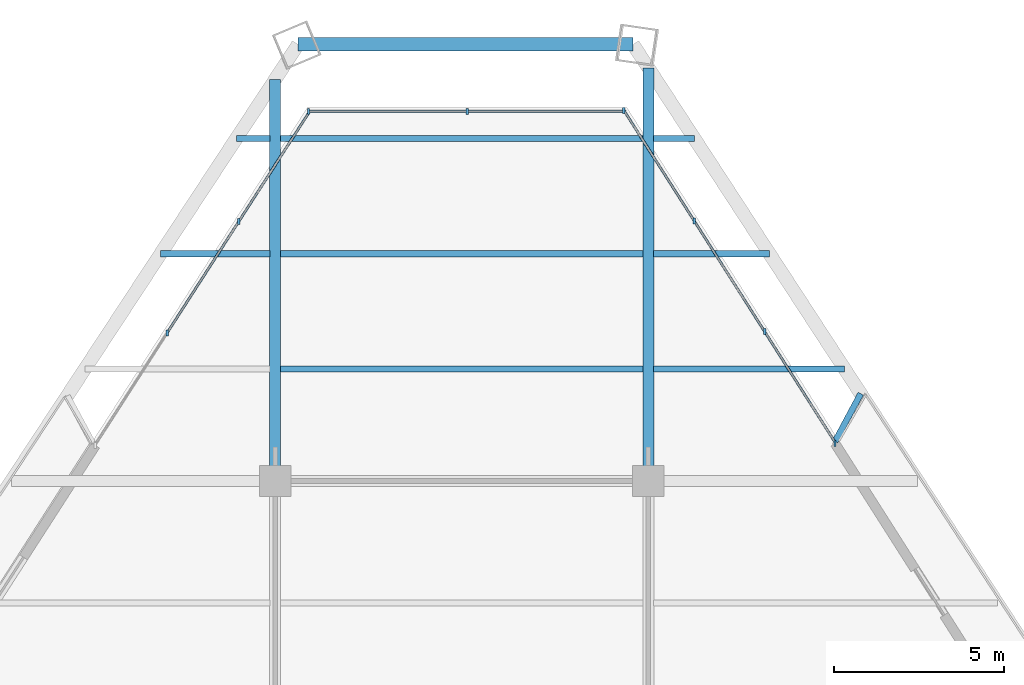
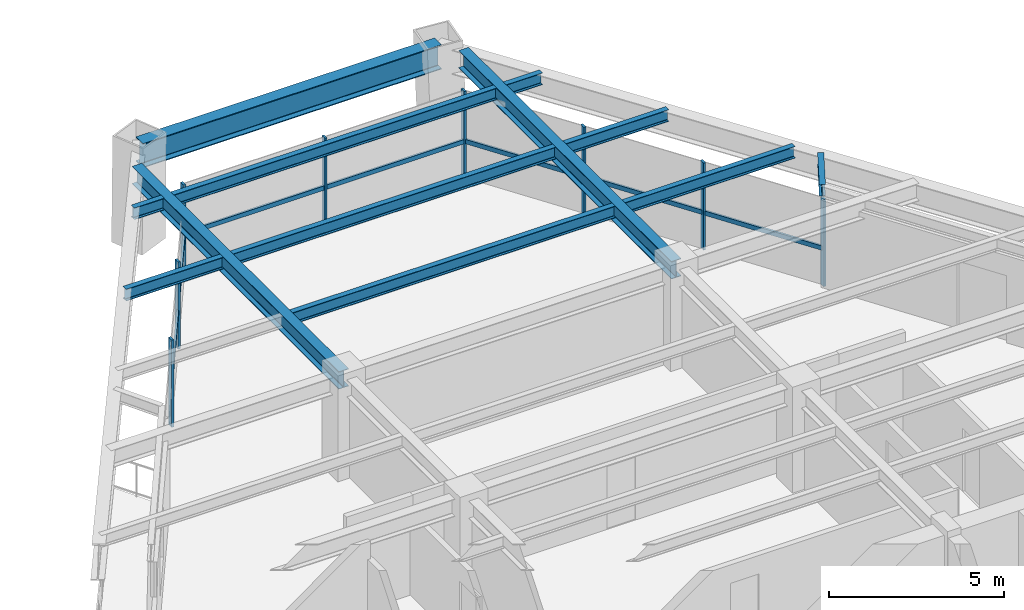
# One storey, part 9 of 16: 15 members, 12 beams, 3 elements without a shape of their own.
"""IFC4 building model written with IfcOpenShell, lengths in metres."""

from ifc_helpers import new_model, si_unit, direction, frame, origin, origin_2d, place, context, subcontext, project, spatial, rectangle, i_section, extrude, source, transform, mapped, material, material_profile, profile_set, type_object, element, aggregate, save


model = new_model("IFC4")

# Units and contexts
model_context = context("Model", 3, precision=1e-05, world=origin(), true_north=direction((0.0, 1.0)))
body_context = subcontext(model_context, "Body", "Model", "MODEL_VIEW")
ifc_project = project(units=[si_unit("LENGTHUNIT", "METRE"), si_unit("AREAUNIT", "SQUARE_METRE"), si_unit("VOLUMEUNIT", "CUBIC_METRE"), si_unit("PLANEANGLEUNIT", "RADIAN"), si_unit("MASSUNIT", "GRAM", prefix="KILO")], contexts=[model_context])

# Site, building, storey
site_placement = place(None, origin())
site = spatial("IfcSite", under=ifc_project, at=site_placement, CompositionType="ELEMENT")
building_placement = place(site_placement, origin())
building = spatial("IfcBuilding", under=site, at=building_placement, Name="Varnakhor Terracotta Tower", CompositionType="ELEMENT")
storey_placement = place(building_placement, frame((0.0, 0.0, 151.5)))
storey = spatial("IfcBuildingStorey", under=building, at=storey_placement, Name="L38", CompositionType="ELEMENT", Elevation=151.5)

# Beams
ifc_material_1 = material(Name="Steel S355", Category="steel")
ifc_material_profile_1 = material_profile(ifc_material_1, i_section(OverallWidth=0.179931640625, OverallDepth=0.4130859375, WebThickness=0.009765625, FlangeThickness=0.01611328125, FilletRadius=0.01806640625, at=origin_2d()), Name="W16X50")
ifc_profile_set_1 = profile_set([ifc_material_profile_1], Name="Steel S355")
beam_type_1 = type_object("IfcBeamType", Name="JST-W16X50", PredefinedType="JOIST", material=ifc_profile_set_1)
shared_shape_1 = source(origin(), body_context, "Body", "SweptSolid", [
    extrude(i_section(OverallWidth=0.179931640625, OverallDepth=0.4130859375, WebThickness=0.009765625, FlangeThickness=0.01611328125, FilletRadius=0.01806640625, at=origin_2d()), origin(), (0.0, 0.0, 1.0), 10.68310546875),
])
for number, where, z_axis, x_axis, name in (
    (1, (-5.341552734375, 34.800048828125, 3.263427734375), (1.0, 0.0, 0.0), (0.0, 1.0, 0.0), "L38 Composite Floor Joist 7-2"),
    (2, (-5.341552734375, 38.199951171875, 3.263427734375), (1.0, 0.0, 0.0), (0.0, 1.0, 0.0), "L38 Composite Floor Joist 8-2"),
    (3, (-5.341552734375, 41.60009765625, 3.263427734375), (1.0, 0.0, 0.0), (0.0, 1.0, 0.0), "L38 Composite Floor Joist 9-2"),
):
    element("IfcBeam", number, at=place(storey_placement, frame(where, z_axis=z_axis, x_axis=x_axis)), inside=storey, type_object=beam_type_1, Name=name, PredefinedType="JOIST", context=body_context, shape_type="MappedRepresentation", body=[
        mapped(shared_shape_1, transform((0.0, 0.0, 0.0), scale=1.0)),
    ])
ifc_material_profile_2 = material_profile(ifc_material_1, i_section(OverallWidth=0.39990234375, OverallDepth=0.85498046875, WebThickness=0.01806640625, FlangeThickness=0.029052734375, FilletRadius=0.01806640625, at=origin_2d()), Name="W33X201")
ifc_profile_set_2 = profile_set([ifc_material_profile_2], Name="Steel S355")
beam_type_2 = type_object("IfcBeamType", Name="BM-W33X201", PredefinedType="BEAM", material=ifc_profile_set_2)
shared_shape_2 = source(origin(), body_context, "Body", "SweptSolid", [
    extrude(i_section(OverallWidth=0.39990234375, OverallDepth=0.85498046875, WebThickness=0.01806640625, FlangeThickness=0.029052734375, FilletRadius=0.01806640625, at=origin_2d()), origin(), (0.0, 0.0, 1.0), 9.8759765625),
])
beam_1_placement = place(storey_placement, frame((5.05029296875, 44.37158203125, 3.04248046875), z_axis=(-1.0, 0.0, 0.0), x_axis=(0.0, -1.0, 0.0)))
element("IfcBeam", 4, at=beam_1_placement, inside=storey, type_object=beam_type_2, Name="L38 Perimeter Spandrel 5", PredefinedType="BEAM", context=body_context, shape_type="MappedRepresentation", body=[
    mapped(shared_shape_2, transform((0.0, 0.0, 0.0), scale=1.0)),
])
ifc_material_profile_3 = material_profile(ifc_material_1, i_section(OverallWidth=0.324951171875, OverallDepth=0.615966796875, WebThickness=0.013916015625, FlangeThickness=0.02197265625, FilletRadius=0.01806640625, at=origin_2d()), Name="W24X117")
ifc_profile_set_3 = profile_set([ifc_material_profile_3], Name="Steel S355")
beam_type_3 = type_object("IfcBeamType", Name="BM-W24X117", PredefinedType="BEAM", material=ifc_profile_set_3)
shared_shape_3 = source(origin(), body_context, "Body", "SweptSolid", [
    extrude(i_section(OverallWidth=0.324951171875, OverallDepth=0.615966796875, WebThickness=0.013916015625, FlangeThickness=0.02197265625, FilletRadius=0.01806640625, at=origin_2d()), origin(), (0.0, 0.0, 1.0), 11.844970703125),
])
beam_2_placement = place(storey_placement, frame((-5.5, 31.5, 3.162109375), z_axis=(0.0, 1.0, 0.0), x_axis=(-1.0, 0.0, 0.0)))
element("IfcBeam", 5, at=beam_2_placement, inside=storey, type_object=beam_type_3, Name="L38 Primary Girder NS3-W", PredefinedType="BEAM", context=body_context, shape_type="MappedRepresentation", body=[
    mapped(shared_shape_3, transform((0.0, 0.0, 0.0), scale=1.0)),
])
shared_shape_4 = source(origin(), body_context, "Body", "SweptSolid", [
    extrude(i_section(OverallWidth=0.324951171875, OverallDepth=0.615966796875, WebThickness=0.013916015625, FlangeThickness=0.02197265625, FilletRadius=0.01806640625, at=origin_2d()), origin(), (0.0, 0.0, 1.0), 12.181640625),
])
beam_3_placement = place(storey_placement, frame((5.5, 31.5, 3.162109375), z_axis=(0.0, 1.0, 0.0), x_axis=(-1.0, 0.0, 0.0)))
element("IfcBeam", 6, at=beam_3_placement, inside=storey, type_object=beam_type_3, Name="L38 Primary Girder NS3-E", PredefinedType="BEAM", context=body_context, shape_type="MappedRepresentation", body=[
    mapped(shared_shape_4, transform((0.0, 0.0, 0.0), scale=1.0)),
])
shared_shape_5 = source(origin(), body_context, "Body", "SweptSolid", [
    extrude(i_section(OverallWidth=0.179931640625, OverallDepth=0.4130859375, WebThickness=0.009765625, FlangeThickness=0.01611328125, FilletRadius=0.01806640625, at=origin_2d()), origin(), (0.0, 0.0, 1.0), 5.6318359375),
])
beam_4_placement = place(storey_placement, frame((5.658447265625, 34.800048828125, 3.263427734375), z_axis=(1.0, 0.0, 0.0), x_axis=(0.0, 1.0, 0.0)))
element("IfcBeam", 7, at=beam_4_placement, inside=storey, type_object=beam_type_1, Name="L38 Composite Floor Joist 7-3", PredefinedType="JOIST", context=body_context, shape_type="MappedRepresentation", body=[
    mapped(shared_shape_5, transform((0.0, 0.0, 0.0), scale=1.0)),
])
shared_shape_6 = source(origin(), body_context, "Body", "SweptSolid", [
    extrude(i_section(OverallWidth=0.179931640625, OverallDepth=0.4130859375, WebThickness=0.009765625, FlangeThickness=0.01611328125, FilletRadius=0.01806640625, at=origin_2d()), origin(), (0.0, 0.0, 1.0), 3.221923828125),
])
beam_5_placement = place(storey_placement, frame((-8.88037109375, 38.199951171875, 3.263427734375), z_axis=(1.0, 0.0, 0.0), x_axis=(0.0, 1.0, 0.0)))
element("IfcBeam", 8, at=beam_5_placement, inside=storey, type_object=beam_type_1, Name="L38 Composite Floor Joist 8-1", PredefinedType="JOIST", context=body_context, shape_type="MappedRepresentation", body=[
    mapped(shared_shape_6, transform((0.0, 0.0, 0.0), scale=1.0)),
])
shared_shape_7 = source(origin(), body_context, "Body", "SweptSolid", [
    extrude(i_section(OverallWidth=0.179931640625, OverallDepth=0.4130859375, WebThickness=0.009765625, FlangeThickness=0.01611328125, FilletRadius=0.01806640625, at=origin_2d()), origin(), (0.0, 0.0, 1.0), 3.415283203125),
])
beam_6_placement = place(storey_placement, frame((5.658447265625, 38.199951171875, 3.263427734375), z_axis=(1.0, 0.0, 0.0), x_axis=(0.0, 1.0, 0.0)))
element("IfcBeam", 9, at=beam_6_placement, inside=storey, type_object=beam_type_1, Name="L38 Composite Floor Joist 8-3", PredefinedType="JOIST", context=body_context, shape_type="MappedRepresentation", body=[
    mapped(shared_shape_7, transform((0.0, 0.0, 0.0), scale=1.0)),
])
shared_shape_8 = source(origin(), body_context, "Body", "SweptSolid", [
    extrude(i_section(OverallWidth=0.179931640625, OverallDepth=0.4130859375, WebThickness=0.009765625, FlangeThickness=0.01611328125, FilletRadius=0.01806640625, at=origin_2d()), origin(), (0.0, 0.0, 1.0), 0.988037109375),
])
beam_7_placement = place(storey_placement, frame((-6.646484375, 41.60009765625, 3.263427734375), z_axis=(1.0, 0.0, 0.0), x_axis=(0.0, 1.0, 0.0)))
element("IfcBeam", 10, at=beam_7_placement, inside=storey, type_object=beam_type_1, Name="L38 Composite Floor Joist 9-1", PredefinedType="JOIST", context=body_context, shape_type="MappedRepresentation", body=[
    mapped(shared_shape_8, transform((0.0, 0.0, 0.0), scale=1.0)),
])
shared_shape_9 = source(origin(), body_context, "Body", "SweptSolid", [
    extrude(i_section(OverallWidth=0.179931640625, OverallDepth=0.4130859375, WebThickness=0.009765625, FlangeThickness=0.01611328125, FilletRadius=0.01806640625, at=origin_2d()), origin(), (0.0, 0.0, 1.0), 1.19873046875),
])
beam_8_placement = place(storey_placement, frame((5.658447265625, 41.60009765625, 3.263427734375), z_axis=(1.0, 0.0, 0.0), x_axis=(0.0, 1.0, 0.0)))
element("IfcBeam", 11, at=beam_8_placement, inside=storey, type_object=beam_type_1, Name="L38 Composite Floor Joist 9-3", PredefinedType="JOIST", context=body_context, shape_type="MappedRepresentation", body=[
    mapped(shared_shape_9, transform((0.0, 0.0, 0.0), scale=1.0)),
])
ifc_material_profile_4 = material_profile(ifc_material_1, i_section(OverallWidth=0.179931640625, OverallDepth=0.39990234375, WebThickness=0.008544921875, FlangeThickness=0.013427734375, FilletRadius=0.01806640625, at=origin_2d()), Name="IPE400")
ifc_profile_set_4 = profile_set([ifc_material_profile_4], Name="Steel S355")
beam_type_4 = type_object("IfcBeamType", Name="JST-IPE400", PredefinedType="JOIST", material=ifc_profile_set_4)
shared_shape_10 = source(origin(), body_context, "Body", "SweptSolid", [
    extrude(i_section(OverallWidth=0.179931640625, OverallDepth=0.39990234375, WebThickness=0.008544921875, FlangeThickness=0.013427734375, FilletRadius=0.01806640625, at=origin_2d()), origin(), (0.0, 0.0, 1.0), 1.600830078125),
])
beam_9_placement = place(storey_placement, frame((11.00732421875, 32.6630859375, 3.27001953125), z_axis=(0.472289121242, 0.88144369415, 0.0), x_axis=(-0.88144369415, 0.472289121242, 0.0)))
element("IfcBeam", 12, at=beam_9_placement, inside=storey, type_object=beam_type_4, Name="L39 E Loggia Tie Beam 1", PredefinedType="JOIST", context=body_context, shape_type="MappedRepresentation", body=[
    mapped(shared_shape_10, transform((0.0, 0.0, 0.0), scale=1.0)),
])

# Curtain wall, members
ifc_material_2 = material(Name="Anodised Aluminium Curtain Wall System", Category="aluminium")
curtain_wall_type = type_object("IfcCurtainWallType", Name="CW-SYS-MID-OFFICE", PredefinedType="NOTDEFINED", material=ifc_material_2)
curtain_wall_1_placement = place(storey_placement, origin())
curtain_wall_1 = element("IfcCurtainWall", 13, at=curtain_wall_1_placement, inside=storey, type_object=curtain_wall_type, Name="L38 W Facet Curtain Wall 2", PredefinedType="NOTDEFINED")
ifc_material_3 = material(Name="Anodised Aluminium 6063-T6", Category="aluminium")
ifc_material_profile_5 = material_profile(ifc_material_3, rectangle(XDim=0.070068359375, YDim=0.175048828125, at=origin_2d()), Name="ALU MULLION 70x175")
ifc_profile_set_5 = profile_set([ifc_material_profile_5], Name="Anodised Aluminium 6063-T6")
member_type_1 = type_object("IfcMemberType", Name="CWM-03", PredefinedType="MULLION", material=ifc_profile_set_5)
shared_shape_11 = source(origin(), body_context, "Body", "SweptSolid", [
    extrude(rectangle(XDim=0.070068359375, YDim=0.175048828125, at=origin_2d()), origin(), (0.0, 0.0, 1.0), 3.050048828125),
])
member_1_placement = place(storey_placement, frame((-8.68896484375, 35.86474609375, 0.0), z_axis=(0.0, 0.0, 1.0), x_axis=(1.0, 0.0, 0.0)))
member_1 = element("IfcMember", 14, at=member_1_placement, type_object=member_type_1, Name="L38 W Facet Curtain Wall 2 Mullion 2", PredefinedType="MULLION", context=body_context, shape_type="MappedRepresentation", body=[
    mapped(shared_shape_11, transform((0.0, 0.0, 0.0), scale=1.0)),
])
member_2_placement = place(storey_placement, frame((-6.576904296875, 39.146484375, 0.0), z_axis=(0.0, 0.0, 1.0), x_axis=(1.0, 0.0, 0.0)))
member_2 = element("IfcMember", 15, at=member_2_placement, type_object=member_type_1, Name="L38 W Facet Curtain Wall 2 Mullion 3", PredefinedType="MULLION", context=body_context, shape_type="MappedRepresentation", body=[
    mapped(shared_shape_11, transform((0.0, 0.0, 0.0), scale=1.0)),
])

curtain_wall_2_placement = place(storey_placement, origin())
curtain_wall_2 = element("IfcCurtainWall", 16, at=curtain_wall_2_placement, inside=storey, type_object=curtain_wall_type, Name="L38 Facet Curtain Wall 2", PredefinedType="NOTDEFINED")
member_3_placement = place(storey_placement, frame((-4.519287109375, 42.3984375, 0.0), z_axis=(0.0, 0.0, 1.0), x_axis=(1.0, 0.0, 0.0)))
member_3 = element("IfcMember", 17, at=member_3_placement, type_object=member_type_1, Name="L38 Facet Curtain Wall 2 Mullion 1", PredefinedType="MULLION", context=body_context, shape_type="MappedRepresentation", body=[
    mapped(shared_shape_11, transform((0.0, 0.0, 0.0), scale=1.0)),
])
member_4_placement = place(storey_placement, frame((0.15771484375, 42.3984375, 0.0), z_axis=(0.0, 0.0, 1.0), x_axis=(1.0, 0.0, 0.0)))
member_4 = element("IfcMember", 18, at=member_4_placement, type_object=member_type_1, Name="L38 Facet Curtain Wall 2 Mullion 2", PredefinedType="MULLION", context=body_context, shape_type="MappedRepresentation", body=[
    mapped(shared_shape_11, transform((0.0, 0.0, 0.0), scale=1.0)),
])

curtain_wall_3_placement = place(storey_placement, origin())
curtain_wall_3 = element("IfcCurtainWall", 19, at=curtain_wall_3_placement, inside=storey, type_object=curtain_wall_type, Name="L38 E Facet Curtain Wall 1", PredefinedType="NOTDEFINED")
member_5_placement = place(storey_placement, frame((4.77978515625, 42.4287109375, 0.0), z_axis=(0.0, 0.0, 1.0), x_axis=(1.0, 0.0, 0.0)))
member_5 = element("IfcMember", 20, at=member_5_placement, type_object=member_type_1, Name="L38 E Facet Curtain Wall 1 Mullion 1", PredefinedType="MULLION", context=body_context, shape_type="MappedRepresentation", body=[
    mapped(shared_shape_11, transform((0.0, 0.0, 0.0), scale=1.0)),
])
member_6_placement = place(storey_placement, frame((6.85498046875, 39.1669921875, 0.0), z_axis=(0.0, 0.0, 1.0), x_axis=(1.0, 0.0, 0.0)))
member_6 = element("IfcMember", 21, at=member_6_placement, type_object=member_type_1, Name="L38 E Facet Curtain Wall 1 Mullion 2", PredefinedType="MULLION", context=body_context, shape_type="MappedRepresentation", body=[
    mapped(shared_shape_11, transform((0.0, 0.0, 0.0), scale=1.0)),
])
member_7_placement = place(storey_placement, frame((8.93017578125, 35.905029296875, 0.0), z_axis=(0.0, 0.0, 1.0), x_axis=(1.0, 0.0, 0.0)))
member_7 = element("IfcMember", 22, at=member_7_placement, type_object=member_type_1, Name="L38 E Facet Curtain Wall 1 Mullion 3", PredefinedType="MULLION", context=body_context, shape_type="MappedRepresentation", body=[
    mapped(shared_shape_11, transform((0.0, 0.0, 0.0), scale=1.0)),
])
member_8_placement = place(storey_placement, frame((11.00439453125, 32.607177734375, 0.0), z_axis=(0.0, 0.0, 1.0), x_axis=(1.0, 0.0, 0.0)))
member_8 = element("IfcMember", 23, at=member_8_placement, type_object=member_type_1, Name="L38 E Loggia Jamb Closure Mullion 1", PredefinedType="MULLION", context=body_context, shape_type="MappedRepresentation", body=[
    mapped(shared_shape_11, transform((0.0, 0.0, 0.0), scale=1.0)),
])

# Member
ifc_material_profile_6 = material_profile(ifc_material_3, rectangle(XDim=0.070068359375, YDim=0.155029296875, at=origin_2d()), Name="ALU TRANSOM 70x155")
ifc_profile_set_6 = profile_set([ifc_material_profile_6], Name="Anodised Aluminium 6063-T6")
member_type_2 = type_object("IfcMemberType", Name="CWT-03", PredefinedType="USERDEFINED", material=ifc_profile_set_6)
shared_shape_12 = source(origin(), body_context, "Body", "SweptSolid", [
    extrude(rectangle(XDim=0.070068359375, YDim=0.155029296875, at=origin_2d()), origin(), (0.0, 0.0, 1.0), 3.90283203125),
])
member_9_placement = place(storey_placement, frame((-6.576904296875, 39.146484375, 1.281005859375), z_axis=(0.541231754218, 0.840873467429, 0.0), x_axis=(-0.840873467429, 0.541231754218, 0.0)))
member_9 = element("IfcMember", 24, at=member_9_placement, type_object=member_type_2, Name="L38 W Facet Curtain Wall 2 Transom 3", ObjectType="TRANSOM", PredefinedType="USERDEFINED", context=body_context, shape_type="MappedRepresentation", body=[
    mapped(shared_shape_12, transform((0.0, 0.0, 0.0), scale=1.0)),
])

shared_shape_13 = source(origin(), body_context, "Body", "SweptSolid", [
    extrude(rectangle(XDim=0.070068359375, YDim=0.155029296875, at=origin_2d()), origin(), (0.0, 0.0, 1.0), 3.902587890625),
])
member_10_placement = place(storey_placement, frame((-8.68896484375, 35.86474609375, 1.281005859375), z_axis=(0.541187520839, 0.840901936784, 0.0), x_axis=(-0.840901936784, 0.541187520839, 0.0)))
member_10 = element("IfcMember", 25, at=member_10_placement, type_object=member_type_2, Name="L38 W Facet Curtain Wall 2 Transom 2", ObjectType="TRANSOM", PredefinedType="USERDEFINED", context=body_context, shape_type="MappedRepresentation", body=[
    mapped(shared_shape_13, transform((0.0, 0.0, 0.0), scale=1.0)),
])

aggregate(curtain_wall_1, [member_1, member_10, member_2, member_9])

shared_shape_14 = source(origin(), body_context, "Body", "SweptSolid", [
    extrude(rectangle(XDim=0.070068359375, YDim=0.155029296875, at=origin_2d()), origin(), (0.0, 0.0, 1.0), 4.677001953125),
])
member_11_placement = place(storey_placement, frame((-4.519287109375, 42.3984375, 1.281005859375), z_axis=(1.0, 0.0, 0.0), x_axis=(0.0, 1.0, 0.0)))
member_11 = element("IfcMember", 26, at=member_11_placement, type_object=member_type_2, Name="L38 Facet Curtain Wall 2 Transom 1", ObjectType="TRANSOM", PredefinedType="USERDEFINED", context=body_context, shape_type="MappedRepresentation", body=[
    mapped(shared_shape_14, transform((0.0, 0.0, 0.0), scale=1.0)),
])

shared_shape_15 = source(origin(), body_context, "Body", "SweptSolid", [
    extrude(rectangle(XDim=0.070068359375, YDim=0.155029296875, at=origin_2d()), origin(), (0.0, 0.0, 1.0), 4.67724609375),
])
member_12_placement = place(storey_placement, frame((0.15771484375, 42.3984375, 1.281005859375), z_axis=(1.0, 0.0, 0.0), x_axis=(0.0, 1.0, 0.0)))
member_12 = element("IfcMember", 27, at=member_12_placement, type_object=member_type_2, Name="L38 Facet Curtain Wall 2 Transom 2", ObjectType="TRANSOM", PredefinedType="USERDEFINED", context=body_context, shape_type="MappedRepresentation", body=[
    mapped(shared_shape_15, transform((0.0, 0.0, 0.0), scale=1.0)),
])

aggregate(curtain_wall_2, [member_3, member_11, member_4, member_12])

shared_shape_16 = source(origin(), body_context, "Body", "SweptSolid", [
    extrude(rectangle(XDim=0.070068359375, YDim=0.155029296875, at=origin_2d()), origin(), (0.0, 0.0, 1.0), 3.865966796875),
])
member_13_placement = place(storey_placement, frame((4.77978515625, 42.4287109375, 1.281005859375), z_axis=(0.536793763288, -0.843713491474, 0.0), x_axis=(0.843713491474, 0.536793763288, 0.0)))
member_13 = element("IfcMember", 28, at=member_13_placement, type_object=member_type_2, Name="L38 E Facet Curtain Wall 1 Transom 1", ObjectType="TRANSOM", PredefinedType="USERDEFINED", context=body_context, shape_type="MappedRepresentation", body=[
    mapped(shared_shape_16, transform((0.0, 0.0, 0.0), scale=1.0)),
])

member_14_placement = place(storey_placement, frame((8.93017578125, 35.905029296875, 1.281005859375), z_axis=(0.536793763288, -0.843713491474, 0.0), x_axis=(0.843713491474, 0.536793763288, 0.0)))
member_14 = element("IfcMember", 29, at=member_14_placement, type_object=member_type_2, Name="L38 E Facet Curtain Wall 1 Transom 3", ObjectType="TRANSOM", PredefinedType="USERDEFINED", context=body_context, shape_type="MappedRepresentation", body=[
    mapped(shared_shape_16, transform((0.0, 0.0, 0.0), scale=1.0)),
])

shared_shape_17 = source(origin(), body_context, "Body", "SweptSolid", [
    extrude(rectangle(XDim=0.070068359375, YDim=0.155029296875, at=origin_2d()), origin(), (0.0, 0.0, 1.0), 3.8662109375),
])
member_15_placement = place(storey_placement, frame((6.85498046875, 39.1669921875, 1.281005859375), z_axis=(0.53676516286, -0.843731687173, 0.0), x_axis=(0.843731687173, 0.53676516286, 0.0)))
member_15 = element("IfcMember", 30, at=member_15_placement, type_object=member_type_2, Name="L38 E Facet Curtain Wall 1 Transom 2", ObjectType="TRANSOM", PredefinedType="USERDEFINED", context=body_context, shape_type="MappedRepresentation", body=[
    mapped(shared_shape_17, transform((0.0, 0.0, 0.0), scale=1.0)),
])

aggregate(curtain_wall_3, [member_5, member_13, member_6, member_15, member_7, member_14, member_8])

save(model, "model.ifc")
